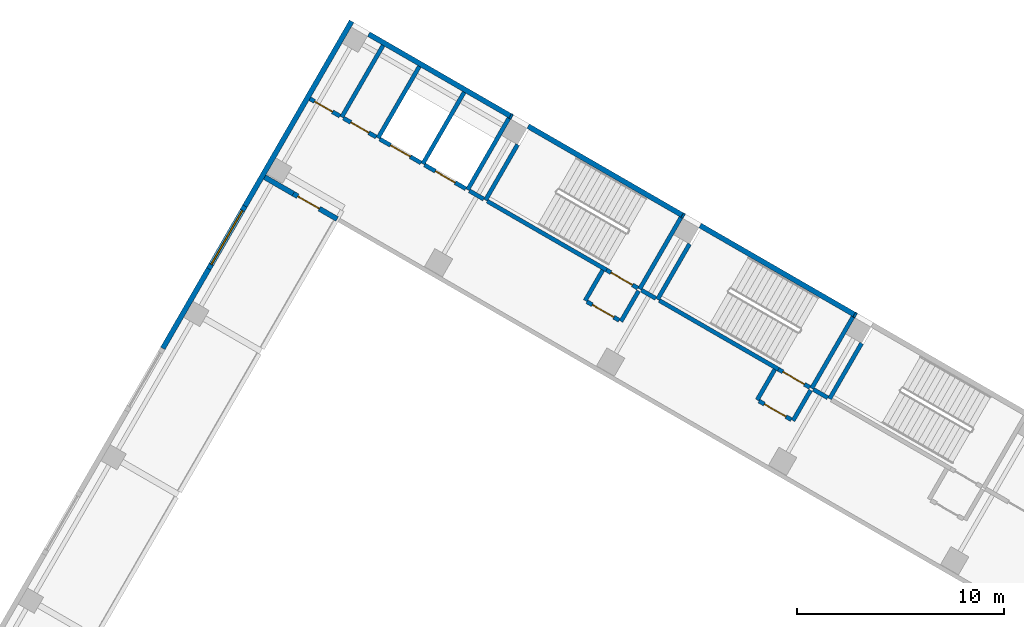
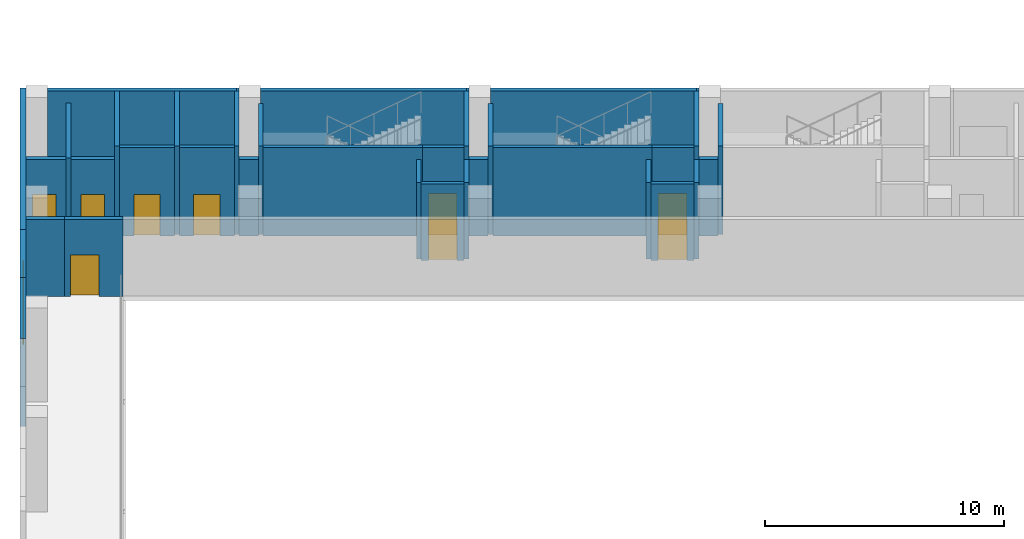
# One storey, part 13 of 28: 37 walls, 9 doors, 1 window, 10 openings.
"""IFC4 building model written with IfcOpenShell, lengths in metres."""

from ifc_helpers import new_model, si_unit, direction, frame, frame_2d, origin, place, context, subcontext, project, spatial, rectangle, extrude, material, layer, layer_set, type_object, element, fill, save


model = new_model("IFC4")

# Units and contexts
model_context = context("Model", 3, precision=1e-05, world=origin(), true_north=direction((0.0, 1.0)))
body_context = subcontext(model_context, "Body", "Model", "MODEL_VIEW")
ifc_project = project(units=[si_unit("LENGTHUNIT", "METRE"), si_unit("AREAUNIT", "SQUARE_METRE"), si_unit("VOLUMEUNIT", "CUBIC_METRE"), si_unit("PLANEANGLEUNIT", "RADIAN"), si_unit("MASSUNIT", "GRAM", prefix="KILO")], contexts=[model_context])

# Site, building, storey
site_placement = place(None, origin())
site = spatial("IfcSite", under=ifc_project, at=site_placement, CompositionType="ELEMENT")
building_placement = place(site_placement, origin())
building = spatial("IfcBuilding", under=site, at=building_placement, Name="Mestral Congress Tower", CompositionType="ELEMENT")
storey_placement = place(building_placement, frame((0.0, 0.0, 11.39990234375)))
storey = spatial("IfcBuildingStorey", under=building, at=storey_placement, Name="L02", CompositionType="ELEMENT", Elevation=11.39990234375)

# Wall
ifc_material_1 = material(Name="Precast concrete C40/50 with limestone facing", Category="masonry")
ifc_layer_1 = layer(ifc_material_1, 0.25)
ifc_layer_set_1 = layer_set([ifc_layer_1], Name="Precast concrete C40/50 with limestone facing")
wall_type_1 = type_object("IfcWallType", Name="Podium external wall 250", PredefinedType="SOLIDWALL", material=ifc_layer_set_1)
wall_1_placement = place(storey_placement, frame((-49.0712890625, 62.612060546875, 0.0), z_axis=(0.0, 0.0, 1.0), x_axis=(0.500001855621, 0.866024332438, 0.0)))
element("IfcWall", 1, at=wall_1_placement, inside=storey, type_object=wall_type_1, Name="L02 external wall", PredefinedType="SOLIDWALL", context=body_context, shape_type="SweptSolid", body=[
    extrude(rectangle(XDim=10.31201171875, YDim=0.25, at=frame_2d((5.156005859375, 0.0))), origin(), (0.0, 0.0, 1.0), 4.5),
])

# Wall, opening, window
wall_2_placement = place(storey_placement, frame((-50.8212890625, 59.5810546875, 0.0), z_axis=(0.0, 0.0, 1.0), x_axis=(0.500010275428, 0.866019471182, 0.0)))
wall_2 = element("IfcWall", 2, at=wall_2_placement, inside=storey, type_object=wall_type_1, Name="L02 external wall", PredefinedType="SOLIDWALL", context=body_context, shape_type="SweptSolid", body=[
    extrude(rectangle(XDim=3.5, YDim=0.25, at=frame_2d((1.75, 0.0))), origin(), (0.0, 0.0, 1.0), 4.5),
])
opening_1_placement = place(wall_2_placement, frame((0.25, 0.0, 0.89990234375)))
opening_1 = element("IfcOpeningElement", 3, at=opening_1_placement, cuts=wall_2, Name="Opening PW-3000x2200", PredefinedType="OPENING", context=body_context, shape_type="SweptSolid", body=[
    extrude(rectangle(XDim=3.0, YDim=2.199951171875, at=frame_2d((1.5, 1.10009765625))), frame((0.0, 0.135009765625, 0.0), z_axis=(0.0, -1.0, 0.0), x_axis=(1.0, 0.0, 0.0)), (0.0, 0.0, 1.0), 0.27001953125),
])
ifc_material_2 = material(Name="Aluminium frame, clear double glazing", Category="aluminium")
window_type = type_object("IfcWindowType", Name="Podium window 3000x2200 sill 900", PartitioningType="SINGLE_PANEL", PredefinedType="WINDOW", material=ifc_material_2)
window_placement = place(opening_1_placement, origin())
window = element("IfcWindow", 4, at=window_placement, inside=storey, type_object=window_type, Name="Window", OverallHeight=2.199951171875, OverallWidth=3.0, PartitioningType="SINGLE_PANEL", PredefinedType="WINDOW", context=body_context, shape_type="SweptSolid", body=[
    extrude(rectangle(XDim=3.0, YDim=2.199951171875, at=frame_2d((1.5, 1.10009765625))), frame((0.0, 0.030029296875, 0.0), z_axis=(0.0, -1.0, 0.0), x_axis=(1.0, 0.0, 0.0)), (0.0, 0.0, 1.0), 0.06005859375),
])
fill(opening_1, window)

# Walls
wall_3_placement = place(storey_placement, frame((-53.040283203125, 55.737548828125, 0.0), z_axis=(0.0, 0.0, 1.0), x_axis=(0.499990705068, 0.866030770149, 0.0)))
element("IfcWall", 5, at=wall_3_placement, inside=storey, type_object=wall_type_1, Name="L02 external wall", PredefinedType="SOLIDWALL", context=body_context, shape_type="SweptSolid", body=[
    extrude(rectangle(XDim=4.43798828125, YDim=0.25, at=frame_2d((2.218994140625, 0.0))), origin(), (0.0, 0.0, 1.0), 4.5),
])
wall_4_placement = place(storey_placement, frame((-27.068603515625, 61.671630859375, 0.0), z_axis=(0.0, 0.0, 1.0), x_axis=(0.866021068297, -0.500007509209, 0.0)))
element("IfcWall", 6, at=wall_4_placement, inside=storey, type_object=wall_type_1, Name="L02 external wall", PredefinedType="SOLIDWALL", context=body_context, shape_type="SweptSolid", body=[
    extrude(rectangle(XDim=8.599853515625, YDim=0.25, at=frame_2d((4.2998046875, 0.0))), origin(), (0.0, 0.0, 1.0), 4.5),
])
wall_5_placement = place(storey_placement, frame((-35.382568359375, 66.4716796875, 0.0), z_axis=(0.0, 0.0, 1.0), x_axis=(0.866028165386, -0.499995216735, 0.0)))
element("IfcWall", 7, at=wall_5_placement, inside=storey, type_object=wall_type_1, Name="L02 external wall", PredefinedType="SOLIDWALL", context=body_context, shape_type="SweptSolid", body=[
    extrude(rectangle(XDim=8.60009765625, YDim=0.25, at=frame_2d((4.300048828125, 0.0))), origin(), (0.0, 0.0, 1.0), 4.5),
])
wall_6_placement = place(storey_placement, frame((-43.090087890625, 70.921630859375, 0.0), z_axis=(0.0, 0.0, 1.0), x_axis=(0.866026562566, -0.499997992926, 0.0)))
element("IfcWall", 8, at=wall_6_placement, inside=storey, type_object=wall_type_1, Name="L02 external wall", PredefinedType="SOLIDWALL", context=body_context, shape_type="SweptSolid", body=[
    extrude(rectangle(XDim=7.89990234375, YDim=0.25, at=frame_2d((3.949951171875, 0.0))), origin(), (0.0, 0.0, 1.0), 4.5),
])
wall_7_placement = place(storey_placement, frame((-19.620849609375, 57.37158203125, 0.0), z_axis=(0.0, 0.0, 1.0), x_axis=(0.867038199201, -0.4982416694, 0.0)))
element("IfcWall", 9, at=wall_7_placement, inside=storey, type_object=wall_type_1, Name="L02 external wall", PredefinedType="SOLIDWALL", context=body_context, shape_type="SweptSolid", body=[
    extrude(rectangle(XDim=0.099853515625, YDim=0.25, at=frame_2d((0.0498046875, 0.0))), origin(), (0.0, 0.0, 1.0), 4.5),
])
for number, where, z_axis, x_axis, name in (
    (10, (-27.9345703125, 62.171630859375, 0.0), (0.0, 0.0, 1.0), (0.865982457891, -0.500074377092, 0.0), "L02 external wall"),
    (11, (-36.24853515625, 66.9716796875, 0.0), (0.0, 0.0, 1.0), (0.865982457891, -0.500074377092, 0.0), "L02 external wall"),
):
    element("IfcWall", number, at=place(storey_placement, frame(where, z_axis=z_axis, x_axis=x_axis)), inside=storey, type_object=wall_type_1, Name=name, PredefinedType="SOLIDWALL", context=body_context, shape_type="SweptSolid", body=[
        extrude(rectangle(XDim=0.10009765625, YDim=0.25, at=frame_2d((0.050048828125, 0.0))), origin(), (0.0, 0.0, 1.0), 4.5),
    ])

# Wall, opening, door
ifc_material_3 = material(Name="Masonry block wall", Category="masonry")
ifc_layer_2 = layer(ifc_material_3, 0.25)
ifc_layer_set_2 = layer_set([ifc_layer_2], Name="Masonry block wall")
wall_type_2 = type_object("IfcWallType", Name="Podium hall wall 250 EI 180", PredefinedType="SOLIDWALL", material=ifc_layer_set_2)
wall_8_placement = place(storey_placement, frame((-46.73388671875, 63.21044921875, 0.0), z_axis=(0.0, 0.0, 1.0), x_axis=(0.866057815567, -0.499943856944, 0.0)))
wall_8 = element("IfcWall", 12, at=wall_8_placement, inside=storey, type_object=wall_type_2, Name="L02 partition", PredefinedType="SOLIDWALL", context=body_context, shape_type="SweptSolid", body=[
    extrude(rectangle(XDim=2.449951171875, YDim=0.25, at=frame_2d((1.22509765625, 0.0))), origin(), (0.0, 0.0, 1.0), 3.900146484375),
])
opening_2_placement = place(wall_8_placement, frame((0.25, 0.0, 0.0)))
opening_2 = element("IfcOpeningElement", 13, at=opening_2_placement, cuts=wall_8, Name="Opening P02-318", PredefinedType="OPENING", context=body_context, shape_type="SweptSolid", body=[
    extrude(rectangle(XDim=1.199951171875, YDim=2.10009765625, at=frame_2d((0.60009765625, 1.050048828125))), frame((0.0, 0.135009765625, 0.0), z_axis=(0.0, -1.0, 0.0), x_axis=(1.0, 0.0, 0.0)), (0.0, 0.0, 1.0), 0.27001953125),
])
ifc_material_4 = material(Name="Fire-rated steel door set", Category="steel")
door_type_1 = type_object("IfcDoorType", Name="Podium hall door 1200x2100 EI2 90-C5", OperationType="SINGLE_SWING_LEFT", PredefinedType="DOOR", material=ifc_material_4)
door_1_placement = place(opening_2_placement, origin())
door_1 = element("IfcDoor", 14, at=door_1_placement, inside=storey, type_object=door_type_1, Name="Door P02-318", OperationType="SINGLE_SWING_LEFT", OverallHeight=2.10009765625, OverallWidth=1.199951171875, PredefinedType="DOOR", context=body_context, shape_type="SweptSolid", body=[
    extrude(rectangle(XDim=1.199951171875, YDim=2.10009765625, at=frame_2d((0.60009765625, 1.050048828125))), frame((0.0, 0.02490234375, 0.0), z_axis=(0.0, -1.0, 0.0), x_axis=(1.0, 0.0, 0.0)), (0.0, 0.0, 1.0), 0.050048828125),
])
fill(opening_2, door_1)

# Walls
wall_9_placement = place(storey_placement, frame((-46.73388671875, 63.21044921875, 0.0), z_axis=(0.0, 0.0, 1.0), x_axis=(-0.865989903783, 0.500061482766, 0.0)))
element("IfcWall", 15, at=wall_9_placement, inside=storey, type_object=wall_type_2, Name="L02 partition", PredefinedType="SOLIDWALL", context=body_context, shape_type="SweptSolid", body=[
    extrude(rectangle(XDim=1.599853515625, YDim=0.25, at=frame_2d((0.7998046875, 0.0))), origin(), (0.0, 0.0, 1.0), 3.900146484375),
])
ifc_layer_3 = layer(ifc_material_3, 0.199951171875)
ifc_layer_set_3 = layer_set([ifc_layer_3], Name="Masonry block wall")
wall_type_3 = type_object("IfcWallType", Name="Podium stair enclosure wall 200 EI 120 load-bearing", PredefinedType="SOLIDWALL", material=ifc_layer_set_3)
wall_10_placement = place(storey_placement, frame((-19.267333984375, 55.984130859375, 0.0), z_axis=(0.0, 0.0, 1.0), x_axis=(-0.49999285859, -0.86602952684, 0.0)))
element("IfcWall", 16, at=wall_10_placement, inside=storey, type_object=wall_type_3, Name="L02 partition", PredefinedType="SOLIDWALL", context=body_context, shape_type="SweptSolid", body=[
    extrude(rectangle(XDim=3.10009765625, YDim=0.199951171875, at=frame_2d((1.550048828125, 0.0))), origin(), (0.0, 0.0, 1.0), 4.5),
])
wall_11_placement = place(storey_placement, frame((-19.683349609375, 57.263427734375, 0.0), z_axis=(0.0, 0.0, 1.0), x_axis=(-0.49999894854, -0.866026010844, 0.0)))
element("IfcWall", 17, at=wall_11_placement, inside=storey, type_object=wall_type_3, Name="L02 partition", PredefinedType="SOLIDWALL", context=body_context, shape_type="SweptSolid", body=[
    extrude(rectangle(XDim=4.0, YDim=0.199951171875, at=frame_2d((2.0, 0.0))), origin(), (0.0, 0.0, 1.0), 4.5),
])
wall_12_placement = place(storey_placement, frame((-27.5810546875, 60.7841796875, 0.0), z_axis=(0.0, 0.0, 1.0), x_axis=(-0.49999285859, -0.86602952684, 0.0)))
element("IfcWall", 18, at=wall_12_placement, inside=storey, type_object=wall_type_3, Name="L02 partition", PredefinedType="SOLIDWALL", context=body_context, shape_type="SweptSolid", body=[
    extrude(rectangle(XDim=3.10009765625, YDim=0.199951171875, at=frame_2d((1.550048828125, 0.0))), origin(), (0.0, 0.0, 1.0), 4.5),
])
wall_13_placement = place(storey_placement, frame((-27.9970703125, 62.0634765625, 0.0), z_axis=(0.0, 0.0, 1.0), x_axis=(-0.49999894854, -0.866026010844, 0.0)))
element("IfcWall", 19, at=wall_13_placement, inside=storey, type_object=wall_type_3, Name="L02 partition", PredefinedType="SOLIDWALL", context=body_context, shape_type="SweptSolid", body=[
    extrude(rectangle(XDim=4.0, YDim=0.199951171875, at=frame_2d((2.0, 0.0))), origin(), (0.0, 0.0, 1.0), 4.5),
])
wall_14_placement = place(storey_placement, frame((-35.89501953125, 65.583984375, 0.0), z_axis=(0.0, 0.0, 1.0), x_axis=(-0.500026960575, -0.86600983753, 0.0)))
element("IfcWall", 20, at=wall_14_placement, inside=storey, type_object=wall_type_3, Name="L02 partition", PredefinedType="SOLIDWALL", context=body_context, shape_type="SweptSolid", body=[
    extrude(rectangle(XDim=3.099853515625, YDim=0.199951171875, at=frame_2d((1.5498046875, 0.0))), origin(), (0.0, 0.0, 1.0), 4.5),
])

# Wall, opening, door
wall_15_placement = place(storey_placement, frame((-23.285400390625, 54.724365234375, 0.0), z_axis=(0.0, 0.0, 1.0), x_axis=(0.866002029911, -0.500040482552, 0.0)))
wall_15 = element("IfcWall", 21, at=wall_15_placement, inside=storey, type_object=wall_type_3, Name="L02 partition", PredefinedType="SOLIDWALL", context=body_context, shape_type="SweptSolid", body=[
    extrude(rectangle(XDim=1.749755859375, YDim=0.199951171875, at=frame_2d((0.875, 0.0))), origin(), (0.0, 0.0, 1.0), 4.5),
])
opening_3_placement = place(wall_15_placement, frame((0.25, 0.0, 0.0)))
opening_3 = element("IfcOpeningElement", 22, at=opening_3_placement, cuts=wall_15, Name="Opening P02-302", PredefinedType="OPENING", context=body_context, shape_type="SweptSolid", body=[
    extrude(rectangle(XDim=1.199951171875, YDim=2.10009765625, at=frame_2d((0.60009765625, 1.050048828125))), frame((0.0, 0.10986328125, 0.0), z_axis=(0.0, -1.0, 0.0), x_axis=(1.0, 0.0, 0.0)), (0.0, 0.0, 1.0), 0.219970703125),
])
door_type_2 = type_object("IfcDoorType", Name="Podium stair door 1200x2100 EI2 30-C5", OperationType="SINGLE_SWING_LEFT", PredefinedType="DOOR", material=ifc_material_4)
door_2_placement = place(opening_3_placement, origin())
door_2 = element("IfcDoor", 23, at=door_2_placement, inside=storey, type_object=door_type_2, Name="Door P02-302", OperationType="SINGLE_SWING_LEFT", OverallHeight=2.10009765625, OverallWidth=1.199951171875, PredefinedType="DOOR", context=body_context, shape_type="SweptSolid", body=[
    extrude(rectangle(XDim=1.199951171875, YDim=2.10009765625, at=frame_2d((0.60009765625, 1.050048828125))), frame((0.0, 0.02490234375, 0.0), z_axis=(0.0, -1.0, 0.0), x_axis=(1.0, 0.0, 0.0)), (0.0, 0.0, 1.0), 0.050048828125),
])
fill(opening_3, door_2)

# Wall
wall_16_placement = place(storey_placement, frame((-23.285400390625, 54.724365234375, 0.0), z_axis=(0.0, 0.0, 1.0), x_axis=(-0.866027239912, 0.49999681972, 0.0)))
element("IfcWall", 24, at=wall_16_placement, inside=storey, type_object=wall_type_3, Name="L02 partition", PredefinedType="SOLIDWALL", context=body_context, shape_type="SweptSolid", body=[
    extrude(rectangle(XDim=6.64990234375, YDim=0.199951171875, at=frame_2d((3.324951171875, 0.0))), origin(), (0.0, 0.0, 1.0), 4.5),
])

# Wall, opening, door
wall_17_placement = place(storey_placement, frame((-31.599365234375, 59.5244140625, 0.0), z_axis=(0.0, 0.0, 1.0), x_axis=(0.866036909293, -0.499980071345, 0.0)))
wall_17 = element("IfcWall", 25, at=wall_17_placement, inside=storey, type_object=wall_type_3, Name="L02 partition", PredefinedType="SOLIDWALL", context=body_context, shape_type="SweptSolid", body=[
    extrude(rectangle(XDim=1.75, YDim=0.199951171875, at=frame_2d((0.875, 0.0))), origin(), (0.0, 0.0, 1.0), 4.5),
])
opening_4_placement = place(wall_17_placement, frame((0.25, 0.0, 0.0)))
opening_4 = element("IfcOpeningElement", 26, at=opening_4_placement, cuts=wall_17, Name="Opening P02-303", PredefinedType="OPENING", context=body_context, shape_type="SweptSolid", body=[
    extrude(rectangle(XDim=1.199951171875, YDim=2.10009765625, at=frame_2d((0.60009765625, 1.050048828125))), frame((0.0, 0.10986328125, 0.0), z_axis=(0.0, -1.0, 0.0), x_axis=(1.0, 0.0, 0.0)), (0.0, 0.0, 1.0), 0.219970703125),
])
door_3_placement = place(opening_4_placement, origin())
door_3 = element("IfcDoor", 27, at=door_3_placement, inside=storey, type_object=door_type_2, Name="Door P02-303", OperationType="SINGLE_SWING_LEFT", OverallHeight=2.10009765625, OverallWidth=1.199951171875, PredefinedType="DOOR", context=body_context, shape_type="SweptSolid", body=[
    extrude(rectangle(XDim=1.199951171875, YDim=2.10009765625, at=frame_2d((0.60009765625, 1.050048828125))), frame((0.0, 0.02490234375, 0.0), z_axis=(0.0, -1.0, 0.0), x_axis=(1.0, 0.0, 0.0)), (0.0, 0.0, 1.0), 0.050048828125),
])
fill(opening_4, door_3)

# Walls
wall_18_placement = place(storey_placement, frame((-31.599365234375, 59.5244140625, 0.0), z_axis=(0.0, 0.0, 1.0), x_axis=(-0.866027239912, 0.49999681972, 0.0)))
element("IfcWall", 28, at=wall_18_placement, inside=storey, type_object=wall_type_3, Name="L02 partition", PredefinedType="SOLIDWALL", context=body_context, shape_type="SweptSolid", body=[
    extrude(rectangle(XDim=6.64990234375, YDim=0.199951171875, at=frame_2d((3.324951171875, 0.0))), origin(), (0.0, 0.0, 1.0), 4.5),
])
for number, where, z_axis, x_axis, name in (
    (29, (-36.31103515625, 66.863525390625, 0.0), (0.0, 0.0, 1.0), (-0.49999894854, -0.866026010844, 0.0), "L02 partition"),
    (30, (-38.47607421875, 68.113525390625, 0.0), (0.0, 0.0, 1.0), (-0.49999894854, -0.866026010844, 0.0), "L02 partition"),
    (31, (-40.64111328125, 69.363525390625, 0.0), (0.0, 0.0, 1.0), (-0.49999894854, -0.866026010844, 0.0), "L02 partition"),
):
    element("IfcWall", number, at=place(storey_placement, frame(where, z_axis=z_axis, x_axis=x_axis)), inside=storey, type_object=wall_type_3, Name=name, PredefinedType="SOLIDWALL", context=body_context, shape_type="SweptSolid", body=[
        extrude(rectangle(XDim=4.0, YDim=0.199951171875, at=frame_2d((2.0, 0.0))), origin(), (0.0, 0.0, 1.0), 4.5),
    ])

# Wall, opening, door
wall_19_placement = place(storey_placement, frame((-40.389404296875, 64.599365234375, 0.0), z_axis=(0.0, 0.0, 1.0), x_axis=(0.86602648383, -0.499998129301, 0.0)))
wall_19 = element("IfcWall", 32, at=wall_19_placement, inside=storey, type_object=wall_type_3, Name="L02 partition", PredefinedType="SOLIDWALL", context=body_context, shape_type="SweptSolid", body=[
    extrude(rectangle(XDim=2.2998046875, YDim=0.199951171875, at=frame_2d((1.14990234375, 0.0))), origin(), (0.0, 0.0, 1.0), 4.5),
])
opening_5_placement = place(wall_19_placement, frame((0.60009765625, 0.0, 0.0)))
opening_5 = element("IfcOpeningElement", 33, at=opening_5_placement, cuts=wall_19, Name="Opening P02-307", PredefinedType="OPENING", context=body_context, shape_type="SweptSolid", body=[
    extrude(rectangle(XDim=1.10009765625, YDim=2.10009765625, at=frame_2d((0.550048828125, 1.050048828125))), frame((0.0, 0.10986328125, 0.0), z_axis=(0.0, -1.0, 0.0), x_axis=(1.0, 0.0, 0.0)), (0.0, 0.0, 1.0), 0.219970703125),
])
door_type_3 = type_object("IfcDoorType", Name="Podium lift landing door 1100x2100 EI2 60-C5", OperationType="DOUBLE_DOOR_SLIDING", PredefinedType="DOOR", material=ifc_material_4)
door_4_placement = place(opening_5_placement, origin())
door_4 = element("IfcDoor", 34, at=door_4_placement, inside=storey, type_object=door_type_3, Name="Door P02-307", OperationType="DOUBLE_DOOR_SLIDING", OverallHeight=2.10009765625, OverallWidth=1.10009765625, PredefinedType="DOOR", context=body_context, shape_type="SweptSolid", body=[
    extrude(rectangle(XDim=1.10009765625, YDim=2.10009765625, at=frame_2d((0.550048828125, 1.050048828125))), frame((0.0, 0.02490234375, 0.0), z_axis=(0.0, -1.0, 0.0), x_axis=(1.0, 0.0, 0.0)), (0.0, 0.0, 1.0), 0.050048828125),
])
fill(opening_5, door_4)

wall_20_placement = place(storey_placement, frame((-42.554443359375, 65.849365234375, 0.0), z_axis=(0.0, 0.0, 1.0), x_axis=(0.86602648383, -0.499998129301, 0.0)))
wall_20 = element("IfcWall", 35, at=wall_20_placement, inside=storey, type_object=wall_type_3, Name="L02 partition", PredefinedType="SOLIDWALL", context=body_context, shape_type="SweptSolid", body=[
    extrude(rectangle(XDim=2.2998046875, YDim=0.199951171875, at=frame_2d((1.14990234375, 0.0))), origin(), (0.0, 0.0, 1.0), 4.5),
])
opening_6_placement = place(wall_20_placement, frame((0.60009765625, 0.0, 0.0)))
opening_6 = element("IfcOpeningElement", 36, at=opening_6_placement, cuts=wall_20, Name="Opening P02-308", PredefinedType="OPENING", context=body_context, shape_type="SweptSolid", body=[
    extrude(rectangle(XDim=1.10009765625, YDim=2.10009765625, at=frame_2d((0.550048828125, 1.050048828125))), frame((0.0, 0.10986328125, 0.0), z_axis=(0.0, -1.0, 0.0), x_axis=(1.0, 0.0, 0.0)), (0.0, 0.0, 1.0), 0.219970703125),
])
door_5_placement = place(opening_6_placement, origin())
door_5 = element("IfcDoor", 37, at=door_5_placement, inside=storey, type_object=door_type_3, Name="Door P02-308", OperationType="DOUBLE_DOOR_SLIDING", OverallHeight=2.10009765625, OverallWidth=1.10009765625, PredefinedType="DOOR", context=body_context, shape_type="SweptSolid", body=[
    extrude(rectangle(XDim=1.10009765625, YDim=2.10009765625, at=frame_2d((0.550048828125, 1.050048828125))), frame((0.0, 0.02490234375, 0.0), z_axis=(0.0, -1.0, 0.0), x_axis=(1.0, 0.0, 0.0)), (0.0, 0.0, 1.0), 0.050048828125),
])
fill(opening_6, door_5)

# Walls
ifc_material_5 = material(Name="Fire-rated board partition")
ifc_layer_4 = layer(ifc_material_5, 0.199951171875)
ifc_layer_set_4 = layer_set([ifc_layer_4], Name="Fire-rated board partition")
wall_type_4 = type_object("IfcWallType", Name="Podium vestibule wall 200 EI 120", PredefinedType="PARTITIONING", material=ifc_layer_set_4)
wall_21_placement = place(storey_placement, frame((-21.7333984375, 53.712890625, 0.0), z_axis=(0.0, 0.0, 1.0), x_axis=(-0.499892348375, -0.866087547558, 0.0)))
element("IfcWall", 38, at=wall_21_placement, inside=storey, type_object=wall_type_4, Name="L02 partition", PredefinedType="PARTITIONING", context=body_context, shape_type="SweptSolid", body=[
    extrude(rectangle(XDim=1.699951171875, YDim=0.199951171875, at=frame_2d((0.85009765625, 0.0))), origin(), (0.0, 0.0, 1.0), 3.900146484375),
])
wall_22_placement = place(storey_placement, frame((-23.46533203125, 54.712890625, 0.0), z_axis=(0.0, 0.0, 1.0), x_axis=(-0.500000056704, -0.866025371046, 0.0)))
element("IfcWall", 39, at=wall_22_placement, inside=storey, type_object=wall_type_4, Name="L02 partition", PredefinedType="PARTITIONING", context=body_context, shape_type="SweptSolid", body=[
    extrude(rectangle(XDim=1.7001953125, YDim=0.199951171875, at=frame_2d((0.85009765625, 0.0))), origin(), (0.0, 0.0, 1.0), 3.900146484375),
])
for number, where, z_axis, x_axis, name in (
    (40, (-30.047119140625, 58.5126953125, 0.0), (0.0, 0.0, 1.0), (-0.500062241894, -0.865989465428, 0.0), "L02 partition"),
    (41, (-31.779296875, 59.5126953125, 0.0), (0.0, 0.0, 1.0), (-0.499954529098, -0.86605165483, 0.0), "L02 partition"),
):
    element("IfcWall", number, at=place(storey_placement, frame(where, z_axis=z_axis, x_axis=x_axis)), inside=storey, type_object=wall_type_4, Name=name, PredefinedType="PARTITIONING", context=body_context, shape_type="SweptSolid", body=[
        extrude(rectangle(XDim=1.699951171875, YDim=0.199951171875, at=frame_2d((0.85009765625, 0.0))), origin(), (0.0, 0.0, 1.0), 3.900146484375),
    ])

# Wall, opening, door
wall_23_placement = place(storey_placement, frame((-24.228759765625, 53.1904296875, 0.0), z_axis=(0.0, 0.0, 1.0), x_axis=(0.866047807691, -0.499961193289, 0.0)))
wall_23 = element("IfcWall", 42, at=wall_23_placement, inside=storey, type_object=wall_type_4, Name="L02 partition", PredefinedType="PARTITIONING", context=body_context, shape_type="SweptSolid", body=[
    extrude(rectangle(XDim=1.800048828125, YDim=0.199951171875, at=frame_2d((0.89990234375, 0.0))), origin(), (0.0, 0.0, 1.0), 3.900146484375),
])
opening_7_placement = place(wall_23_placement, frame((0.300048828125, 0.0, 0.0)))
opening_7 = element("IfcOpeningElement", 43, at=opening_7_placement, cuts=wall_23, Name="Opening P02-312", PredefinedType="OPENING", context=body_context, shape_type="SweptSolid", body=[
    extrude(rectangle(XDim=1.199951171875, YDim=2.10009765625, at=frame_2d((0.60009765625, 1.050048828125))), frame((0.0, 0.10986328125, 0.0), z_axis=(0.0, -1.0, 0.0), x_axis=(1.0, 0.0, 0.0)), (0.0, 0.0, 1.0), 0.219970703125),
])
door_type_4 = type_object("IfcDoorType", Name="Podium vestibule door 1200x2100 EI2 30-C5", OperationType="SINGLE_SWING_LEFT", PredefinedType="DOOR", material=ifc_material_4)
door_6_placement = place(opening_7_placement, origin())
door_6 = element("IfcDoor", 44, at=door_6_placement, inside=storey, type_object=door_type_4, Name="Door P02-312", OperationType="SINGLE_SWING_LEFT", OverallHeight=2.10009765625, OverallWidth=1.199951171875, PredefinedType="DOOR", context=body_context, shape_type="SweptSolid", body=[
    extrude(rectangle(XDim=1.199951171875, YDim=2.10009765625, at=frame_2d((0.60009765625, 1.050048828125))), frame((0.0, 0.02490234375, 0.0), z_axis=(0.0, -1.0, 0.0), x_axis=(1.0, 0.0, 0.0)), (0.0, 0.0, 1.0), 0.050048828125),
])
fill(opening_7, door_6)

wall_24_placement = place(storey_placement, frame((-32.54248046875, 57.990478515625, 0.0), z_axis=(0.0, 0.0, 1.0), x_axis=(0.866047807691, -0.499961193289, 0.0)))
wall_24 = element("IfcWall", 45, at=wall_24_placement, inside=storey, type_object=wall_type_4, Name="L02 partition", PredefinedType="PARTITIONING", context=body_context, shape_type="SweptSolid", body=[
    extrude(rectangle(XDim=1.800048828125, YDim=0.199951171875, at=frame_2d((0.89990234375, 0.0))), origin(), (0.0, 0.0, 1.0), 3.900146484375),
])
opening_8_placement = place(wall_24_placement, frame((0.300048828125, 0.0, 0.0)))
opening_8 = element("IfcOpeningElement", 46, at=opening_8_placement, cuts=wall_24, Name="Opening P02-313", PredefinedType="OPENING", context=body_context, shape_type="SweptSolid", body=[
    extrude(rectangle(XDim=1.199951171875, YDim=2.10009765625, at=frame_2d((0.60009765625, 1.050048828125))), frame((0.0, 0.10986328125, 0.0), z_axis=(0.0, -1.0, 0.0), x_axis=(1.0, 0.0, 0.0)), (0.0, 0.0, 1.0), 0.219970703125),
])
door_7_placement = place(opening_8_placement, origin())
door_7 = element("IfcDoor", 47, at=door_7_placement, inside=storey, type_object=door_type_4, Name="Door P02-313", OperationType="SINGLE_SWING_LEFT", OverallHeight=2.10009765625, OverallWidth=1.199951171875, PredefinedType="DOOR", context=body_context, shape_type="SweptSolid", body=[
    extrude(rectangle(XDim=1.199951171875, YDim=2.10009765625, at=frame_2d((0.60009765625, 1.050048828125))), frame((0.0, 0.02490234375, 0.0), z_axis=(0.0, -1.0, 0.0), x_axis=(1.0, 0.0, 0.0)), (0.0, 0.0, 1.0), 0.050048828125),
])
fill(opening_8, door_7)

# Wall
wall_25_placement = place(storey_placement, frame((-42.394775390625, 70.3759765625, 0.0), z_axis=(0.0, 0.0, 1.0), x_axis=(-0.49999894854, -0.866026010844, 0.0)))
element("IfcWall", 48, at=wall_25_placement, inside=storey, type_object=wall_type_4, Name="L02 partition", PredefinedType="PARTITIONING", context=body_context, shape_type="SweptSolid", body=[
    extrude(rectangle(XDim=4.0, YDim=0.199951171875, at=frame_2d((2.0, 0.0))), origin(), (0.0, 0.0, 1.0), 3.900146484375),
])

# Wall, opening, door
wall_26_placement = place(storey_placement, frame((-44.30810546875, 66.86181640625, 0.0), z_axis=(0.0, 0.0, 1.0), x_axis=(0.866036312054, -0.499981105847, 0.0)))
wall_26 = element("IfcWall", 49, at=wall_26_placement, inside=storey, type_object=wall_type_4, Name="L02 partition", PredefinedType="PARTITIONING", context=body_context, shape_type="SweptSolid", body=[
    extrude(rectangle(XDim=1.82470703125, YDim=0.199951171875, at=frame_2d((0.912353515625, 0.0))), origin(), (0.0, 0.0, 1.0), 3.900146484375),
])
opening_9_placement = place(wall_26_placement, frame((0.41259765625, 0.0, 0.0)))
opening_9 = element("IfcOpeningElement", 50, at=opening_9_placement, cuts=wall_26, Name="Opening P02-322", PredefinedType="OPENING", context=body_context, shape_type="SweptSolid", body=[
    extrude(rectangle(XDim=1.0, YDim=2.10009765625, at=frame_2d((0.5, 1.050048828125))), frame((0.0, 0.10986328125, 0.0), z_axis=(0.0, -1.0, 0.0), x_axis=(1.0, 0.0, 0.0)), (0.0, 0.0, 1.0), 0.219970703125),
])
door_type_5 = type_object("IfcDoorType", Name="Podium room door 1000x2100 EI2 30-C5", OperationType="SINGLE_SWING_LEFT", PredefinedType="DOOR", material=ifc_material_4)
door_8_placement = place(opening_9_placement, origin())
door_8 = element("IfcDoor", 51, at=door_8_placement, inside=storey, type_object=door_type_5, Name="Door P02-322", OperationType="SINGLE_SWING_LEFT", OverallHeight=2.10009765625, OverallWidth=1.0, PredefinedType="DOOR", context=body_context, shape_type="SweptSolid", body=[
    extrude(rectangle(XDim=1.0, YDim=2.10009765625, at=frame_2d((0.5, 1.050048828125))), frame((0.0, 0.02490234375, 0.0), z_axis=(0.0, -1.0, 0.0), x_axis=(1.0, 0.0, 0.0)), (0.0, 0.0, 1.0), 0.050048828125),
])
fill(opening_9, door_8)

wall_27_placement = place(storey_placement, frame((-45.931884765625, 67.79931640625, 0.0), z_axis=(0.0, 0.0, 1.0), x_axis=(0.866027799164, -0.499995851058, 0.0)))
wall_27 = element("IfcWall", 52, at=wall_27_placement, inside=storey, type_object=wall_type_4, Name="L02 partition", PredefinedType="PARTITIONING", context=body_context, shape_type="SweptSolid", body=[
    extrude(rectangle(XDim=1.6748046875, YDim=0.199951171875, at=frame_2d((0.83740234375, 0.0))), origin(), (0.0, 0.0, 1.0), 3.900146484375),
])
opening_10_placement = place(wall_27_placement, frame((0.262451171875, 0.0, 0.0)))
opening_10 = element("IfcOpeningElement", 53, at=opening_10_placement, cuts=wall_27, Name="Opening P02-323", PredefinedType="OPENING", context=body_context, shape_type="SweptSolid", body=[
    extrude(rectangle(XDim=1.0, YDim=2.10009765625, at=frame_2d((0.5, 1.050048828125))), frame((0.0, 0.10986328125, 0.0), z_axis=(0.0, -1.0, 0.0), x_axis=(1.0, 0.0, 0.0)), (0.0, 0.0, 1.0), 0.219970703125),
])
door_9_placement = place(opening_10_placement, origin())
door_9 = element("IfcDoor", 54, at=door_9_placement, inside=storey, type_object=door_type_5, Name="Door P02-323", OperationType="SINGLE_SWING_LEFT", OverallHeight=2.10009765625, OverallWidth=1.0, PredefinedType="DOOR", context=body_context, shape_type="SweptSolid", body=[
    extrude(rectangle(XDim=1.0, YDim=2.10009765625, at=frame_2d((0.5, 1.050048828125))), frame((0.0, 0.02490234375, 0.0), z_axis=(0.0, -1.0, 0.0), x_axis=(1.0, 0.0, 0.0)), (0.0, 0.0, 1.0), 0.050048828125),
])
fill(opening_10, door_9)

# Walls
wall_28_placement = place(storey_placement, frame((-20.90380859375, 53.349365234375, 0.0), z_axis=(0.0, 0.0, 1.0), x_axis=(-0.865961984968, 0.500109828528, 0.0)))
element("IfcWall", 55, at=wall_28_placement, inside=storey, type_object=wall_type_4, Name="L02 partition", PredefinedType="PARTITIONING", context=body_context, shape_type="SweptSolid", body=[
    extrude(rectangle(XDim=0.800048828125, YDim=0.199951171875, at=frame_2d((0.39990234375, 0.0))), origin(), (0.0, 0.0, 1.0), 3.900146484375),
])
wall_29_placement = place(storey_placement, frame((-29.2177734375, 58.1494140625, 0.0), z_axis=(0.0, 0.0, 1.0), x_axis=(-0.866017831539, 0.500013115284, 0.0)))
element("IfcWall", 56, at=wall_29_placement, inside=storey, type_object=wall_type_4, Name="L02 partition", PredefinedType="PARTITIONING", context=body_context, shape_type="SweptSolid", body=[
    extrude(rectangle(XDim=0.7998046875, YDim=0.199951171875, at=frame_2d((0.39990234375, 0.0))), origin(), (0.0, 0.0, 1.0), 3.900146484375),
])
wall_30_placement = place(storey_placement, frame((-37.531494140625, 62.949462890625, 0.0), z_axis=(0.0, 0.0, 1.0), x_axis=(-0.866094119867, 0.499880961361, 0.0)))
element("IfcWall", 57, at=wall_30_placement, inside=storey, type_object=wall_type_4, Name="L02 partition", PredefinedType="PARTITIONING", context=body_context, shape_type="SweptSolid", body=[
    extrude(rectangle(XDim=0.800048828125, YDim=0.199951171875, at=frame_2d((0.39990234375, 0.0))), origin(), (0.0, 0.0, 1.0), 3.900146484375),
])

save(model, "model.ifc")
